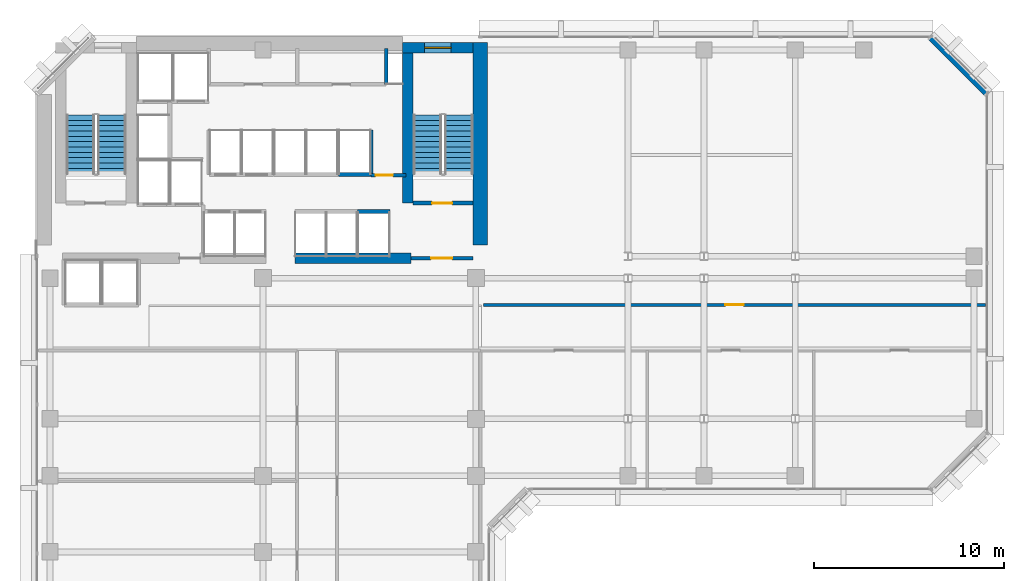
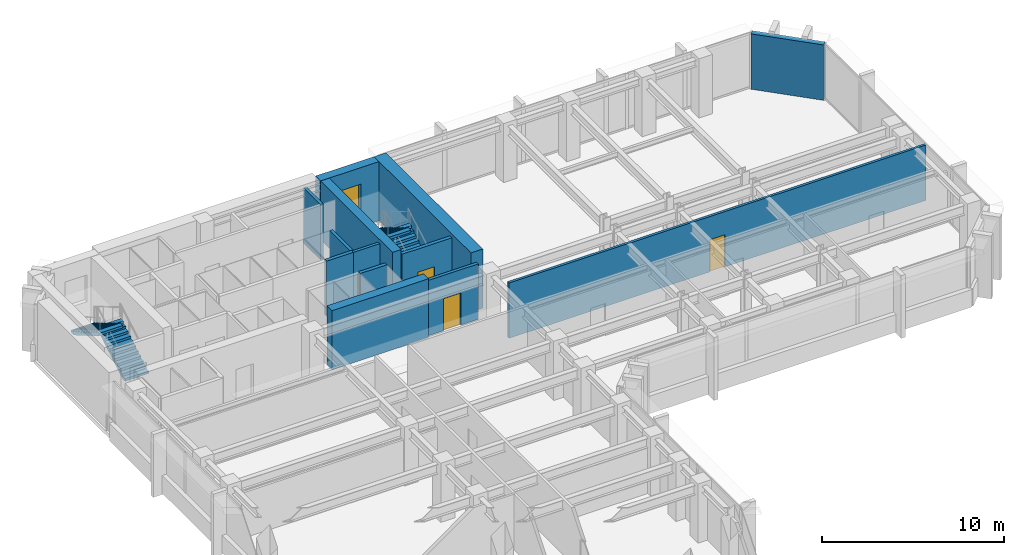
# One storey, part 8 of 12: 13 walls, 4 doors, 4 stair flights, 1 window, 5 openings, 2 elements without a shape of their own.
"""IFC4 building model written with IfcOpenShell, lengths in metres."""

from ifc_helpers import new_model, si_unit, direction, frame, frame_2d, origin, place, context, subcontext, project, spatial, polyline, rectangle, outline, extrude, material, layer, layer_set, type_object, element, fill, aggregate, save


model = new_model("IFC4")

# Units and contexts
model_context = context("Model", 3, precision=1e-05, world=origin(), true_north=direction((0.0, 1.0)))
body_context = subcontext(model_context, "Body", "Model", "MODEL_VIEW")
ifc_project = project(units=[si_unit("LENGTHUNIT", "METRE"), si_unit("AREAUNIT", "SQUARE_METRE"), si_unit("VOLUMEUNIT", "CUBIC_METRE"), si_unit("PLANEANGLEUNIT", "RADIAN"), si_unit("MASSUNIT", "GRAM", prefix="KILO")], contexts=[model_context])

# Site, building, storey
site_placement = place(None, origin())
site = spatial("IfcSite", under=ifc_project, at=site_placement, CompositionType="ELEMENT")
building_placement = place(site_placement, origin())
building = spatial("IfcBuilding", under=site, at=building_placement, Name="Kefirva Bronze Tower", CompositionType="ELEMENT")
storey_placement = place(building_placement, frame((0.0, 0.0, 114.510009765625)))
storey = spatial("IfcBuildingStorey", under=building, at=storey_placement, Name="L27", CompositionType="ELEMENT", Elevation=114.510009765625)

# Wall, opening, door
ifc_material_1 = material(Name="Gypsum fireboard shaftwall")
ifc_layer_1 = layer(ifc_material_1, 0.219970703125, Name="Gypsum fireboard shaftwall")
ifc_layer_set_1 = layer_set([ifc_layer_1], Name="Gypsum fireboard shaftwall")
wall_type_1 = type_object("IfcWallType", Name="Fire-Rated Shaft Enclosure Wall 220mm", PredefinedType="PARTITIONING", material=ifc_layer_set_1)
wall_1_placement = place(storey_placement, frame((19.89990234375, 37.14990234375, 0.0), z_axis=(0.0, 0.0, 1.0), x_axis=(1.0, 0.0, 0.0)))
wall_1 = element("IfcWall", 1, at=wall_1_placement, inside=storey, type_object=wall_type_1, Name="L27 Partition W-L27-ST2S", PredefinedType="PARTITIONING", context=body_context, shape_type="SweptSolid", body=[
    extrude(rectangle(XDim=3.150146484375, YDim=0.219970703125, at=frame_2d((1.5751953125, 0.0))), origin(), (0.0, 0.0, 1.0), 3.7099609375),
])
opening_1_placement = place(wall_1_placement, frame((2.050048828125, 0.0, 0.0), z_axis=(0.0, 0.0, 1.0), x_axis=(-1.0, 0.0, 0.0)))
opening_1 = element("IfcOpeningElement", 2, at=opening_1_placement, cuts=wall_1, Name="Opening L27-D003", PredefinedType="OPENING", context=body_context, shape_type="SweptSolid", body=[
    extrude(rectangle(XDim=1.050048828125, YDim=2.14990234375, at=frame_2d((0.52490234375, 1.074951171875))), frame((0.0, 0.1201171875, 0.0), z_axis=(0.0, -1.0, 0.0), x_axis=(1.0, 0.0, 0.0)), (0.0, 0.0, 1.0), 0.239990234375),
])
ifc_material_2 = material(Name="Painted galvanized steel", Category="steel")
door_type_1 = type_object("IfcDoorType", Name="Fire Stair Enclosure Door 1050x2150 FD90S", OperationType="NOTDEFINED", PredefinedType="DOOR", material=ifc_material_2)
door_1_placement = place(opening_1_placement, origin())
door_1 = element("IfcDoor", 3, at=door_1_placement, inside=storey, type_object=door_type_1, Name="Door L27-D003", OperationType="SINGLE_SWING_LEFT", OverallHeight=2.14990234375, OverallWidth=1.050048828125, PredefinedType="DOOR", context=body_context, shape_type="SweptSolid", body=[
    extrude(rectangle(XDim=1.050048828125, YDim=2.14990234375, at=frame_2d((0.52490234375, 1.074951171875))), frame((0.0, 0.02490234375, 0.0), z_axis=(0.0, -1.0, 0.0), x_axis=(1.0, 0.0, 0.0)), (0.0, 0.0, 1.0), 0.050048828125),
])
fill(opening_1, door_1)

# Walls
wall_2_placement = place(storey_placement, frame((17.679931640625, 38.64990234375, 0.0), z_axis=(0.0, 0.0, 1.0), x_axis=(0.0, 1.0, 0.0)))
element("IfcWall", 4, at=wall_2_placement, inside=storey, type_object=wall_type_1, Name="L27 Partition W-L27-HP2E", PredefinedType="PARTITIONING", context=body_context, shape_type="SweptSolid", body=[
    extrude(rectangle(XDim=2.35009765625, YDim=0.199951171875, at=frame_2d((1.175048828125, 0.0))), origin(), (0.0, 0.0, 1.0), 3.7099609375),
])
wall_3_placement = place(storey_placement, frame((16.97998046875, 36.699951171875, 0.0), z_axis=(0.0, 0.0, 1.0), x_axis=(1.0, 0.0, 0.0)))
element("IfcWall", 5, at=wall_3_placement, inside=storey, type_object=wall_type_1, Name="L27 Partition W-L27-HPS", PredefinedType="PARTITIONING", context=body_context, shape_type="SweptSolid", body=[
    extrude(rectangle(XDim=1.699951171875, YDim=0.219970703125, at=frame_2d((0.85009765625, 0.0))), origin(), (0.0, 0.0, 1.0), 3.7099609375),
])
wall_4_placement = place(storey_placement, frame((15.97998046875, 38.64990234375, 0.0), z_axis=(0.0, 0.0, 1.0), x_axis=(1.0, 0.0, 0.0)))
element("IfcWall", 6, at=wall_4_placement, inside=storey, type_object=wall_type_1, Name="L27 Partition W-L27-HPN", PredefinedType="PARTITIONING", context=body_context, shape_type="SweptSolid", body=[
    extrude(rectangle(XDim=1.719970703125, YDim=0.219970703125, at=frame_2d((0.85986328125, 0.0))), origin(), (0.0, 0.0, 1.0), 3.7099609375),
])

# Wall, opening, door
ifc_material_3 = material(Name="Gypsum fireboard barrier")
ifc_layer_2 = layer(ifc_material_3, 0.199951171875, Name="Gypsum fireboard barrier")
ifc_layer_set_2 = layer_set([ifc_layer_2], Name="Gypsum fireboard barrier")
wall_type_2 = type_object("IfcWallType", Name="Firefighting Lobby Barrier Wall 200mm", PredefinedType="PARTITIONING", material=ifc_layer_set_2)
wall_5_placement = place(storey_placement, frame((19.800048828125, 34.25, 0.0), z_axis=(0.0, 0.0, 1.0), x_axis=(1.0, 0.0, 0.0)))
wall_5 = element("IfcWall", 7, at=wall_5_placement, inside=storey, type_object=wall_type_2, Name="L27 Partition W-L27-ST2F", PredefinedType="PARTITIONING", context=body_context, shape_type="SweptSolid", body=[
    extrude(rectangle(XDim=3.25, YDim=0.199951171875, at=frame_2d((1.625, 0.0))), origin(), (0.0, 0.0, 1.0), 3.7099609375),
])
opening_2_placement = place(wall_5_placement, frame((2.150146484375, 0.0, 0.0), z_axis=(0.0, 0.0, 1.0), x_axis=(-1.0, 0.0, 0.0)))
opening_2 = element("IfcOpeningElement", 8, at=opening_2_placement, cuts=wall_5, Name="Opening L27-D004", PredefinedType="OPENING", context=body_context, shape_type="SweptSolid", body=[
    extrude(rectangle(XDim=1.10009765625, YDim=2.14990234375, at=frame_2d((0.550048828125, 1.074951171875))), frame((0.0, 0.10986328125, 0.0), z_axis=(0.0, -1.0, 0.0), x_axis=(1.0, 0.0, 0.0)), (0.0, 0.0, 1.0), 0.219970703125),
])
door_type_2 = type_object("IfcDoorType", Name="Firefighting Lobby Smoke Door 1100x2150 FD60S", OperationType="NOTDEFINED", PredefinedType="DOOR", material=ifc_material_2)
door_2_placement = place(opening_2_placement, origin())
door_2 = element("IfcDoor", 9, at=door_2_placement, inside=storey, type_object=door_type_2, Name="Door L27-D004", OperationType="SINGLE_SWING_RIGHT", OverallHeight=2.14990234375, OverallWidth=1.10009765625, PredefinedType="DOOR", context=body_context, shape_type="SweptSolid", body=[
    extrude(rectangle(XDim=1.10009765625, YDim=2.14990234375, at=frame_2d((0.550048828125, 1.074951171875))), frame((0.0, 0.02490234375, 0.0), z_axis=(0.0, -1.0, 0.0), x_axis=(1.0, 0.0, 0.0)), (0.0, 0.0, 1.0), 0.050048828125),
])
fill(opening_2, door_2)

wall_6_placement = place(storey_placement, frame((17.679931640625, 38.6201171875, 0.0), z_axis=(0.0, 0.0, 1.0), x_axis=(1.0, 0.0, 0.0)))
wall_6 = element("IfcWall", 10, at=wall_6_placement, inside=storey, type_object=wall_type_2, Name="L27 Partition W-L27-CPASS", PredefinedType="PARTITIONING", context=body_context, shape_type="SweptSolid", body=[
    extrude(rectangle(XDim=1.840087890625, YDim=0.179931640625, at=frame_2d((0.919921875, 0.0))), origin(), (0.0, 0.0, 1.0), 3.7099609375),
])
opening_3_placement = place(wall_6_placement, frame((0.239990234375, 0.0, 0.0)))
opening_3 = element("IfcOpeningElement", 11, at=opening_3_placement, cuts=wall_6, Name="Opening L27-D-CPAS", PredefinedType="OPENING", context=body_context, shape_type="SweptSolid", body=[
    extrude(rectangle(XDim=0.919921875, YDim=2.10009765625, at=frame_2d((0.4599609375, 1.050048828125))), frame((0.0, 0.10009765625, 0.0), z_axis=(0.0, -1.0, 0.0), x_axis=(1.0, 0.0, 0.0)), (0.0, 0.0, 1.0), 0.199951171875),
])
ifc_material_4 = material(Name="Moisture-resistant timber", Category="wood")
door_type_3 = type_object("IfcDoorType", Name="Accessible Sanitary & WC Door 920x2100", OperationType="NOTDEFINED", PredefinedType="DOOR", material=ifc_material_4)
door_3_placement = place(opening_3_placement, origin())
door_3 = element("IfcDoor", 12, at=door_3_placement, inside=storey, type_object=door_type_3, Name="Door L27-D-CPAS", OperationType="SINGLE_SWING_LEFT", OverallHeight=2.10009765625, OverallWidth=0.919921875, PredefinedType="DOOR", context=body_context, shape_type="SweptSolid", body=[
    extrude(rectangle(XDim=0.919921875, YDim=2.10009765625, at=frame_2d((0.4599609375, 1.050048828125))), frame((0.0, 0.02490234375, 0.0), z_axis=(0.0, -1.0, 0.0), x_axis=(1.0, 0.0, 0.0)), (0.0, 0.0, 1.0), 0.050048828125),
])
fill(opening_3, door_3)

# Wall
ifc_material_5 = material(Name="Precast concrete C40/50", Category="concrete")
ifc_layer_3 = layer(ifc_material_5, 0.320068359375, Name="Precast concrete C40/50")
ifc_layer_set_3 = layer_set([ifc_layer_3], Name="Precast concrete C40/50")
wall_type_3 = type_object("IfcWallType", Name="Precast Insulated Exterior Wall 320mm", PredefinedType="SOLIDWALL", material=ifc_layer_set_3)
wall_7_placement = place(storey_placement, frame((50.048095703125, 42.92578125, 0.0), z_axis=(0.0, 0.0, 1.0), x_axis=(-0.707136318428, 0.707077242712, 0.0)))
element("IfcWall", 13, at=wall_7_placement, inside=storey, type_object=wall_type_3, Name="L27 Exterior Facade Wall 4", PredefinedType="SOLIDWALL", context=body_context, shape_type="SweptSolid", body=[
    extrude(rectangle(XDim=4.132568359375, YDim=0.320068359375, at=frame_2d((2.06640625, 0.0))), origin(), (0.0, 0.0, 1.0), 3.7099609375),
])

# Wall, opening, door
ifc_material_6 = material(Name="Gypsum acoustic partition")
ifc_layer_4 = layer(ifc_material_6, 0.159912109375, Name="Gypsum acoustic partition")
ifc_layer_set_4 = layer_set([ifc_layer_4], Name="Gypsum acoustic partition")
wall_type_4 = type_object("IfcWallType", Name="Protected Corridor Partition 160mm", PredefinedType="PARTITIONING", material=ifc_layer_set_4)
wall_8_placement = place(storey_placement, frame((23.60009765625, 31.800048828125, 0.0), z_axis=(0.0, 0.0, 1.0), x_axis=(1.0, 0.0, 0.0)))
wall_8 = element("IfcWall", 14, at=wall_8_placement, inside=storey, type_object=wall_type_4, Name="L27 Partition W-L27-EWN", PredefinedType="PARTITIONING", context=body_context, shape_type="SweptSolid", body=[
    extrude(rectangle(XDim=26.409912109375, YDim=0.159912109375, at=frame_2d((13.205078125, 0.0))), origin(), (0.0, 0.0, 1.0), 3.7099609375),
])
opening_4_placement = place(wall_8_placement, frame((12.72998046875, 0.0, 0.0)))
opening_4 = element("IfcOpeningElement", 15, at=opening_4_placement, cuts=wall_8, Name="Opening L27-D-EN1", PredefinedType="OPENING", context=body_context, shape_type="SweptSolid", body=[
    extrude(rectangle(XDim=0.949951171875, YDim=2.14990234375, at=frame_2d((0.47509765625, 1.074951171875))), frame((0.0, 0.08984375, 0.0), z_axis=(0.0, -1.0, 0.0), x_axis=(1.0, 0.0, 0.0)), (0.0, 0.0, 1.0), 0.179931640625),
])
ifc_material_7 = material(Name="Acoustic hardwood oak", Category="wood")
door_type_4 = type_object("IfcDoorType", Name="Office & Meeting Room Door 950x2150", OperationType="NOTDEFINED", PredefinedType="DOOR", material=ifc_material_7)
door_4_placement = place(opening_4_placement, origin())
door_4 = element("IfcDoor", 16, at=door_4_placement, inside=storey, type_object=door_type_4, Name="Door L27-D-EN1", OperationType="SINGLE_SWING_LEFT", OverallHeight=2.14990234375, OverallWidth=0.949951171875, PredefinedType="DOOR", context=body_context, shape_type="SweptSolid", body=[
    extrude(rectangle(XDim=0.949951171875, YDim=2.14990234375, at=frame_2d((0.47509765625, 1.074951171875))), frame((0.0, 0.02490234375, 0.0), z_axis=(0.0, -1.0, 0.0), x_axis=(1.0, 0.0, 0.0)), (0.0, 0.0, 1.0), 0.050048828125),
])
fill(opening_4, door_4)

# Wall, opening, window
ifc_material_8 = material(Name="Concrete C50/60", Category="concrete")
ifc_layer_5 = layer(ifc_material_8, 0.550048828125, Name="Concrete C50/60")
ifc_layer_set_5 = layer_set([ifc_layer_5], Name="Concrete C50/60")
wall_type_5 = type_object("IfcWallType", Name="RC Rear Core Exterior Wall 550mm", PredefinedType="SHEAR", material=ifc_layer_set_5)
wall_9_placement = place(storey_placement, frame((19.35009765625, 45.320068359375, 0.0), z_axis=(0.0, 0.0, 1.0), x_axis=(1.0, 0.0, 0.0)))
wall_9 = element("IfcWall", 17, at=wall_9_placement, inside=storey, type_object=wall_type_5, Name="L27 Stair 2 North Shear Wall", PredefinedType="SHEAR", context=body_context, shape_type="SweptSolid", body=[
    extrude(rectangle(XDim=3.68994140625, YDim=0.550048828125, at=frame_2d((1.844970703125, 0.0))), origin(), (0.0, 0.0, 1.0), 3.9599609375),
])
opening_5_placement = place(wall_9_placement, frame((1.14990234375, 0.0, 1.050048828125)))
opening_5 = element("IfcOpeningElement", 18, at=opening_5_placement, cuts=wall_9, Name="Opening WN-03", PredefinedType="OPENING", context=body_context, shape_type="SweptSolid", body=[
    extrude(rectangle(XDim=1.39990234375, YDim=1.800048828125, at=frame_2d((0.699951171875, 0.89990234375))), frame((0.0, 0.28515625, 0.0), z_axis=(0.0, -1.0, 0.0), x_axis=(1.0, 0.0, 0.0)), (0.0, 0.0, 1.0), 0.570068359375),
])
ifc_material_9 = material(Name="Laminated low-E double glazing", Category="glass")
window_type = type_object("IfcWindowType", Name="Rear-Core Stair Daylight Window 1400x1800", PartitioningType="SINGLE_PANEL", PredefinedType="WINDOW", material=ifc_material_9)
window_placement = place(opening_5_placement, origin())
window = element("IfcWindow", 19, at=window_placement, inside=storey, type_object=window_type, Name="L27 Stair 2 Daylight Window", OverallHeight=1.800048828125, OverallWidth=1.39990234375, PartitioningType="SINGLE_PANEL", PredefinedType="WINDOW", context=body_context, shape_type="SweptSolid", body=[
    extrude(rectangle(XDim=1.39990234375, YDim=1.800048828125, at=frame_2d((0.699951171875, 0.89990234375))), frame((0.0, 0.030029296875, 0.0), z_axis=(0.0, -1.0, 0.0), x_axis=(1.0, 0.0, 0.0)), (0.0, 0.0, 1.0), 0.06005859375),
])
fill(opening_5, window)

# Walls
ifc_layer_6 = layer(ifc_material_8, 0.550048828125, Name="Concrete C50/60")
ifc_layer_set_6 = layer_set([ifc_layer_6], Name="Concrete C50/60")
wall_type_6 = type_object("IfcWallType", Name="RC Rear Core Interior Wall 550mm", PredefinedType="SHEAR", material=ifc_layer_set_6)
wall_10_placement = place(storey_placement, frame((19.6201171875, 37.14990234375, 0.0), z_axis=(0.0, 0.0, 1.0), x_axis=(0.0, 1.0, 0.0)))
element("IfcWall", 20, at=wall_10_placement, inside=storey, type_object=wall_type_6, Name="L27 Stair 2 West Shear Wall", PredefinedType="SHEAR", context=body_context, shape_type="SweptSolid", body=[
    extrude(rectangle(XDim=7.89013671875, YDim=0.550048828125, at=frame_2d((3.945068359375, 0.0))), origin(), (0.0, 0.0, 1.0), 3.9599609375),
])
ifc_material_10 = material(Name="Concrete C60/75", Category="concrete")
ifc_layer_7 = layer(ifc_material_10, 0.75, Name="Concrete C60/75")
ifc_layer_set_7 = layer_set([ifc_layer_7], Name="Concrete C60/75")
wall_type_7 = type_object("IfcWallType", Name="RC Rear Core Interior Wall 750mm", PredefinedType="SHEAR", material=ifc_layer_set_7)
wall_11_placement = place(storey_placement, frame((23.425048828125, 34.949951171875, 0.0), z_axis=(0.0, 0.0, 1.0), x_axis=(0.0, 1.0, 0.0)))
element("IfcWall", 21, at=wall_11_placement, inside=storey, type_object=wall_type_7, Name="L27 Rear Core East Shear Wall", PredefinedType="SHEAR", context=body_context, shape_type="SweptSolid", body=[
    extrude(rectangle(XDim=10.64013671875, YDim=0.75, at=frame_2d((5.320068359375, 0.0))), origin(), (0.0, 0.0, 1.0), 3.9599609375),
])
wall_12_placement = place(storey_placement, frame((13.679931640625, 34.25, 0.0), z_axis=(0.0, 0.0, 1.0), x_axis=(1.0, 0.0, 0.0)))
element("IfcWall", 22, at=wall_12_placement, inside=storey, type_object=wall_type_7, Name="L27 Rear Core South-East Shear Wall", PredefinedType="SHEAR", context=body_context, shape_type="SweptSolid", body=[
    extrude(rectangle(XDim=6.1201171875, YDim=0.550048828125, at=frame_2d((3.06005859375, 0.0))), origin(), (0.0, 0.0, 1.0), 3.9599609375),
])
ifc_material_11 = material(Name="Moisture-resistant partition")
ifc_layer_8 = layer(ifc_material_11, 0.179931640625, Name="Moisture-resistant partition")
ifc_layer_set_8 = layer_set([ifc_layer_8], Name="Moisture-resistant partition")
wall_type_8 = type_object("IfcWallType", Name="Sanitary Plumbing Chase Wall 180mm", PredefinedType="PLUMBINGWALL", material=ifc_layer_set_8)
wall_13_placement = place(storey_placement, frame((18.47998046875, 43.39990234375, 0.0), z_axis=(0.0, 0.0, 1.0), x_axis=(0.0, 1.0, 0.0)))
element("IfcWall", 23, at=wall_13_placement, inside=storey, type_object=wall_type_8, Name="L27 Partition W-L27-SVCE", PredefinedType="PLUMBINGWALL", context=body_context, shape_type="SweptSolid", body=[
    extrude(rectangle(XDim=1.880126953125, YDim=0.179931640625, at=frame_2d((0.93994140625, 0.0))), origin(), (0.0, 0.0, 1.0), 3.7099609375),
])

# Stair, stair flights
ifc_material_12 = material(Name="Concrete C40/50", Category="concrete")
stair_type = type_object("IfcStairType", Name="RC Dogleg Protected Stair 24R", PredefinedType="HALF_TURN_STAIR", material=ifc_material_12)
stair_1_placement = place(storey_placement, origin())
stair_1 = element("IfcStair", 24, at=stair_1_placement, inside=storey, type_object=stair_type, Name="L27 Protected Exit Stair 1", PredefinedType="HALF_TURN_STAIR")
stair_flight_type = type_object("IfcStairFlightType", Name="RC Straight Stair Flight 24R", PredefinedType="STRAIGHT", material=ifc_material_12)
stair_flight_1_placement = place(storey_placement, frame((4.050048828125, 38.699951171875, 0.0), z_axis=(0.0, 0.0, 1.0), x_axis=(0.0, 1.0, 0.0)))
stair_flight_1 = element("IfcStairFlight", 25, at=stair_flight_1_placement, type_object=stair_flight_type, Name="ST-1 flight 1", NumberOfRisers=12, NumberOfTreads=11, PredefinedType="STRAIGHT", RiserHeight=0.165, TreadLength=0.28, context=body_context, shape_type="SweptSolid", body=[
    extrude(outline(polyline([(0.0, 0.0), (0.0, 0.1650390625), (0.280029296875, 0.1650390625), (0.280029296875, 0.330078125), (0.56005859375, 0.330078125), (0.56005859375, 0.4951171875), (0.840087890625, 0.4951171875), (0.840087890625, 0.659912109375), (1.1201171875, 0.659912109375), (1.1201171875, 0.824951171875), (1.39990234375, 0.824951171875), (1.39990234375, 0.989990234375), (1.679931640625, 0.989990234375), (1.679931640625, 1.155029296875), (1.9599609375, 1.155029296875), (1.9599609375, 1.320068359375), (2.239990234375, 1.320068359375), (2.239990234375, 1.485107421875), (2.52001953125, 1.485107421875), (2.52001953125, 1.64990234375), (2.800048828125, 1.64990234375), (2.800048828125, 1.81494140625), (3.080078125, 1.81494140625), (3.080078125, 1.97998046875), (3.080078125, 1.64111328125), (0.295166015625, 0.0), (0.0, 0.0)])), frame((0.0, 0.75, 0.0), z_axis=(0.0, -1.0, 0.0), x_axis=(1.0, 0.0, 0.0)), (0.0, 0.0, 1.0), 1.5),
])
stair_flight_2_placement = place(storey_placement, frame((2.39990234375, 41.780029296875, 1.97998046875), z_axis=(0.0, 0.0, 1.0), x_axis=(0.0, -1.0, 0.0)))
stair_flight_2 = element("IfcStairFlight", 26, at=stair_flight_2_placement, type_object=stair_flight_type, Name="ST-1 flight 2", NumberOfRisers=12, NumberOfTreads=11, PredefinedType="STRAIGHT", RiserHeight=0.165, TreadLength=0.28, context=body_context, shape_type="SweptSolid", body=[
    extrude(outline(polyline([(0.0, 0.0), (0.0, 0.1650390625), (0.280029296875, 0.1650390625), (0.280029296875, 0.330078125), (0.56005859375, 0.330078125), (0.56005859375, 0.4951171875), (0.840087890625, 0.4951171875), (0.840087890625, 0.659912109375), (1.1201171875, 0.659912109375), (1.1201171875, 0.824951171875), (1.39990234375, 0.824951171875), (1.39990234375, 0.989990234375), (1.679931640625, 0.989990234375), (1.679931640625, 1.155029296875), (1.9599609375, 1.155029296875), (1.9599609375, 1.320068359375), (2.239990234375, 1.320068359375), (2.239990234375, 1.485107421875), (2.52001953125, 1.485107421875), (2.52001953125, 1.64990234375), (2.800048828125, 1.64990234375), (2.800048828125, 1.81494140625), (3.080078125, 1.81494140625), (3.080078125, 1.97998046875), (3.080078125, 1.64111328125), (0.295166015625, 0.0), (0.0, 0.0)])), frame((0.0, 0.75, 0.0), z_axis=(0.0, -1.0, 0.0), x_axis=(1.0, 0.0, 0.0)), (0.0, 0.0, 1.0), 1.5),
])
aggregate(stair_1, [stair_flight_1, stair_flight_2])

stair_2_placement = place(storey_placement, origin())
stair_2 = element("IfcStair", 27, at=stair_2_placement, inside=storey, type_object=stair_type, Name="L27 Protected Exit Stair 2", PredefinedType="HALF_TURN_STAIR")
stair_flight_3_placement = place(storey_placement, frame((22.300048828125, 38.699951171875, 0.0), z_axis=(0.0, 0.0, 1.0), x_axis=(0.0, 1.0, 0.0)))
stair_flight_3 = element("IfcStairFlight", 28, at=stair_flight_3_placement, type_object=stair_flight_type, Name="ST-2 flight 1", NumberOfRisers=12, NumberOfTreads=11, PredefinedType="STRAIGHT", RiserHeight=0.165, TreadLength=0.28, context=body_context, shape_type="SweptSolid", body=[
    extrude(outline(polyline([(0.0, 0.0), (0.0, 0.1650390625), (0.280029296875, 0.1650390625), (0.280029296875, 0.330078125), (0.56005859375, 0.330078125), (0.56005859375, 0.4951171875), (0.840087890625, 0.4951171875), (0.840087890625, 0.659912109375), (1.1201171875, 0.659912109375), (1.1201171875, 0.824951171875), (1.39990234375, 0.824951171875), (1.39990234375, 0.989990234375), (1.679931640625, 0.989990234375), (1.679931640625, 1.155029296875), (1.9599609375, 1.155029296875), (1.9599609375, 1.320068359375), (2.239990234375, 1.320068359375), (2.239990234375, 1.485107421875), (2.52001953125, 1.485107421875), (2.52001953125, 1.64990234375), (2.800048828125, 1.64990234375), (2.800048828125, 1.81494140625), (3.080078125, 1.81494140625), (3.080078125, 1.97998046875), (3.080078125, 1.64111328125), (0.295166015625, 0.0), (0.0, 0.0)])), frame((0.0, 0.75, 0.0), z_axis=(0.0, -1.0, 0.0), x_axis=(1.0, 0.0, 0.0)), (0.0, 0.0, 1.0), 1.5),
])
stair_flight_4_placement = place(storey_placement, frame((20.64990234375, 41.780029296875, 1.97998046875), z_axis=(0.0, 0.0, 1.0), x_axis=(0.0, -1.0, 0.0)))
stair_flight_4 = element("IfcStairFlight", 29, at=stair_flight_4_placement, type_object=stair_flight_type, Name="ST-2 flight 2", NumberOfRisers=12, NumberOfTreads=11, PredefinedType="STRAIGHT", RiserHeight=0.165, TreadLength=0.28, context=body_context, shape_type="SweptSolid", body=[
    extrude(outline(polyline([(0.0, 0.0), (0.0, 0.1650390625), (0.280029296875, 0.1650390625), (0.280029296875, 0.330078125), (0.56005859375, 0.330078125), (0.56005859375, 0.4951171875), (0.840087890625, 0.4951171875), (0.840087890625, 0.659912109375), (1.1201171875, 0.659912109375), (1.1201171875, 0.824951171875), (1.39990234375, 0.824951171875), (1.39990234375, 0.989990234375), (1.679931640625, 0.989990234375), (1.679931640625, 1.155029296875), (1.9599609375, 1.155029296875), (1.9599609375, 1.320068359375), (2.239990234375, 1.320068359375), (2.239990234375, 1.485107421875), (2.52001953125, 1.485107421875), (2.52001953125, 1.64990234375), (2.800048828125, 1.64990234375), (2.800048828125, 1.81494140625), (3.080078125, 1.81494140625), (3.080078125, 1.97998046875), (3.080078125, 1.64111328125), (0.295166015625, 0.0), (0.0, 0.0)])), frame((0.0, 0.75, 0.0), z_axis=(0.0, -1.0, 0.0), x_axis=(1.0, 0.0, 0.0)), (0.0, 0.0, 1.0), 1.5),
])
aggregate(stair_2, [stair_flight_3, stair_flight_4])

save(model, "model.ifc")
